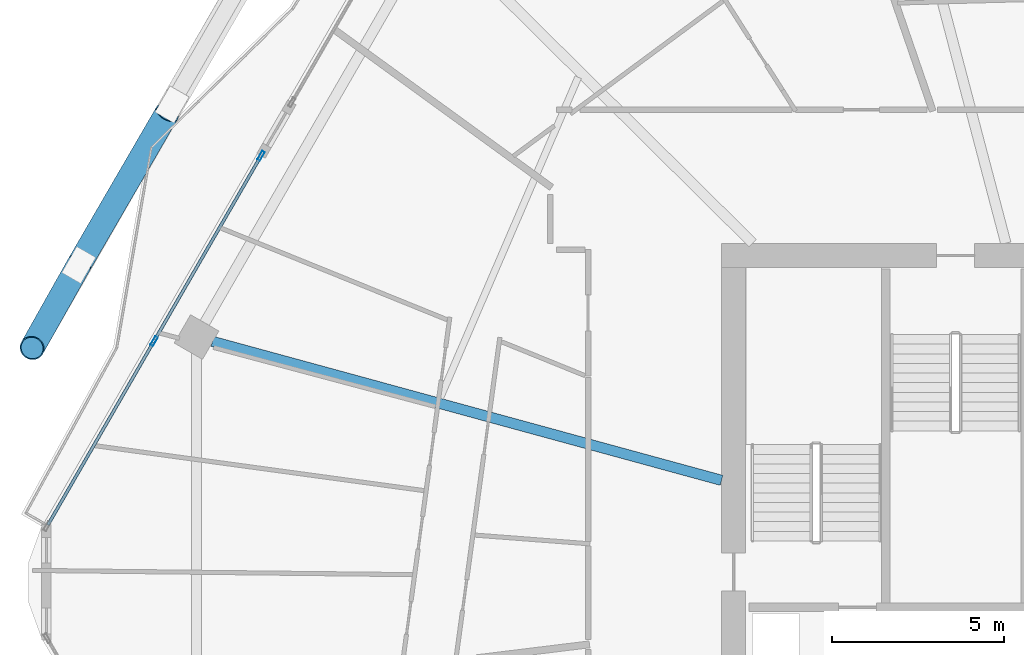
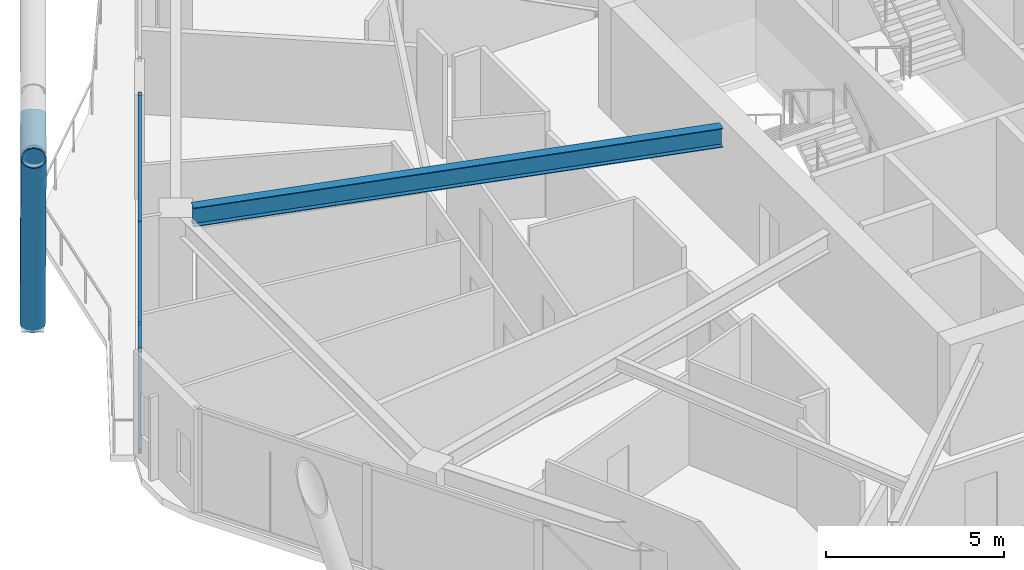
# One storey, part 10 of 28: 8 members, 1 beam, 1 element without a shape of its own.
"""IFC4 building model written with IfcOpenShell, lengths in metres."""

from ifc_helpers import new_model, si_unit, direction, frame, origin, origin_2d, place, context, subcontext, project, spatial, hollow_rectangle, hollow_circle, i_section, extrude, material, material_profile, profile_set, type_object, element, aggregate, save


model = new_model("IFC4")

# Units and contexts
model_context = context("Model", 3, precision=1e-05, world=origin(), true_north=direction((0.0, 1.0)))
body_context = subcontext(model_context, "Body", "Model", "MODEL_VIEW")
ifc_project = project(units=[si_unit("LENGTHUNIT", "METRE"), si_unit("AREAUNIT", "SQUARE_METRE"), si_unit("VOLUMEUNIT", "CUBIC_METRE"), si_unit("PLANEANGLEUNIT", "RADIAN"), si_unit("MASSUNIT", "GRAM", prefix="KILO")], contexts=[model_context])

# Site, building, storey
site_placement = place(None, origin())
site = spatial("IfcSite", under=ifc_project, at=site_placement, CompositionType="ELEMENT")
building_placement = place(site_placement, origin())
building = spatial("IfcBuilding", under=site, at=building_placement, Name="Zuhravey Tower", CompositionType="ELEMENT")
storey_placement = place(building_placement, frame((0.0, 0.0, 199.800048828125)))
storey = spatial("IfcBuildingStorey", under=building, at=storey_placement, Name="L50", CompositionType="ELEMENT", Elevation=199.800048828125)

# Curtain wall, members
ifc_material_1 = material(Name="Thermally broken anodised aluminium", Category="aluminium")
curtain_wall_type = type_object("IfcCurtainWallType", Name="Zone 1-2 Residential Curtain Wall CW3", PredefinedType="NOTDEFINED", material=ifc_material_1)
curtain_wall_placement = place(storey_placement, origin())
curtain_wall = element("IfcCurtainWall", 1, at=curtain_wall_placement, inside=storey, type_object=curtain_wall_type, Name="L50 CW3 CW-L50-F3-1", PredefinedType="NOTDEFINED")
ifc_material_2 = material(Name="Anodised aluminium", Category="aluminium")
ifc_material_profile_1 = material_profile(ifc_material_2, hollow_rectangle(XDim=0.090087890625, YDim=0.284912109375, WallThickness=0.0048828125, at=origin_2d()), Name="ALU-RHS-90x285x5")
ifc_profile_set_1 = profile_set([ifc_material_profile_1], Name="Anodised aluminium")
member_type_1 = type_object("IfcMemberType", Name="Curtain-Wall Mullion 90x180", PredefinedType="MULLION", material=ifc_profile_set_1)
member_1_placement = place(storey_placement, frame((8.6591796875, 39.010498046875, 0.0), z_axis=(0.0, 0.0, 1.0), x_axis=(-0.866023899446, 0.500002605581, 0.0)))
member_1 = element("IfcMember", 2, at=member_1_placement, type_object=member_type_1, Name="CW3 mullion 2", PredefinedType="MULLION", context=body_context, shape_type="SweptSolid", body=[
    extrude(hollow_rectangle(XDim=0.090087890625, YDim=0.284912109375, WallThickness=0.0048828125, at=origin_2d()), origin(), (0.0, 0.0, 1.0), 3.550048828125),
])
member_2_placement = place(storey_placement, frame((11.767822265625, 44.394775390625, 0.0), z_axis=(0.0, 0.0, 1.0), x_axis=(-0.866023899446, 0.500002605581, 0.0)))
member_2 = element("IfcMember", 3, at=member_2_placement, type_object=member_type_1, Name="CW3 mullion 3", PredefinedType="MULLION", context=body_context, shape_type="SweptSolid", body=[
    extrude(hollow_rectangle(XDim=0.090087890625, YDim=0.284912109375, WallThickness=0.0048828125, at=origin_2d()), origin(), (0.0, 0.0, 1.0), 3.550048828125),
])
ifc_material_profile_2 = material_profile(ifc_material_2, hollow_rectangle(XDim=0.090087890625, YDim=0.14990234375, WallThickness=0.0048828125, at=origin_2d()), Name="ALU-RHS-90x150x5")
ifc_profile_set_2 = profile_set([ifc_material_profile_2], Name="Anodised aluminium")
member_type_2 = type_object("IfcMemberType", Name="Curtain-Wall Transom 90x150", PredefinedType="USERDEFINED", material=ifc_profile_set_2)
member_3_placement = place(storey_placement, frame((5.5732421875, 33.66552734375, 0.044921875), z_axis=(0.499996092513, 0.866027659761, 0.0), x_axis=(-0.866027659761, 0.499996092513, 0.0)))
member_3 = element("IfcMember", 4, at=member_3_placement, type_object=member_type_2, Name="CW3 transom 1.1", ObjectType="TRANSOM", PredefinedType="USERDEFINED", context=body_context, shape_type="SweptSolid", body=[
    extrude(hollow_rectangle(XDim=0.090087890625, YDim=0.14990234375, WallThickness=0.0048828125, at=origin_2d()), origin(), (0.0, 0.0, 1.0), 6.126953125),
])
member_4_placement = place(storey_placement, frame((5.5732421875, 33.66552734375, 3.5048828125), z_axis=(0.499996092513, 0.866027659761, 0.0), x_axis=(-0.866027659761, 0.499996092513, 0.0)))
member_4 = element("IfcMember", 5, at=member_4_placement, type_object=member_type_2, Name="CW3 transom 1.2", ObjectType="TRANSOM", PredefinedType="USERDEFINED", context=body_context, shape_type="SweptSolid", body=[
    extrude(hollow_rectangle(XDim=0.090087890625, YDim=0.14990234375, WallThickness=0.0048828125, at=origin_2d()), origin(), (0.0, 0.0, 1.0), 6.126953125),
])
member_5_placement = place(storey_placement, frame((8.681640625, 39.049560546875, 0.044921875), z_axis=(0.500025976783, 0.866010405562, 0.0), x_axis=(-0.866010405562, 0.500025976783, 0.0)))
member_5 = element("IfcMember", 6, at=member_5_placement, type_object=member_type_2, Name="CW3 transom 2.1", ObjectType="TRANSOM", PredefinedType="USERDEFINED", context=body_context, shape_type="SweptSolid", body=[
    extrude(hollow_rectangle(XDim=0.090087890625, YDim=0.14990234375, WallThickness=0.0048828125, at=origin_2d()), origin(), (0.0, 0.0, 1.0), 6.127197265625),
])
member_6_placement = place(storey_placement, frame((8.681640625, 39.049560546875, 3.5048828125), z_axis=(0.500025976783, 0.866010405562, 0.0), x_axis=(-0.866010405562, 0.500025976783, 0.0)))
member_6 = element("IfcMember", 7, at=member_6_placement, type_object=member_type_2, Name="CW3 transom 2.2", ObjectType="TRANSOM", PredefinedType="USERDEFINED", context=body_context, shape_type="SweptSolid", body=[
    extrude(hollow_rectangle(XDim=0.090087890625, YDim=0.14990234375, WallThickness=0.0048828125, at=origin_2d()), origin(), (0.0, 0.0, 1.0), 6.127197265625),
])
aggregate(curtain_wall, [member_1, member_2, member_3, member_4, member_5, member_6])

# Members
ifc_material_3 = material(Name="Steel SM460", Category="steel")
ifc_material_profile_3 = material_profile(ifc_material_3, hollow_circle(Radius=0.355712890625, WallThickness=0.031982421875, at=origin_2d()), Name="CHS-711.2x32")
ifc_profile_set_3 = profile_set([ifc_material_profile_3], Name="Steel SM460")
member_type_3 = type_object("IfcMemberType", Name="Exoskeleton Zone 2 Diagrid CHS711x32", PredefinedType="BRACE", material=ifc_profile_set_3)
member_7_placement = place(storey_placement, frame((6.466552734375, 41.212646484375, -0.444091796875), z_axis=(-0.16821244009, -0.298778056347, 0.939380779048), x_axis=(0.871388810392, -0.490593050424, 0.0)))
element("IfcMember", 8, at=member_7_placement, inside=storey, type_object=member_type_3, Name="L50 Face 3 Diagrid Brace 4", PredefinedType="BRACE", context=body_context, shape_type="SweptSolid", body=[
    extrude(hollow_circle(Radius=0.355712890625, WallThickness=0.031982421875, at=origin_2d()), origin(), (0.0, 0.0, 1.0), 8.0478515625),
])
member_8_placement = place(storey_placement, frame((6.48974609375, 41.252685546875, -0.436767578125), z_axis=(0.410689024779, 0.706843105016, 0.575940404744), x_axis=(-0.864648681518, 0.502377007386, 0.0)))
element("IfcMember", 9, at=member_8_placement, inside=storey, type_object=member_type_3, Name="L50 Face 3 Split Diagrid Brace 3A", PredefinedType="BRACE", context=body_context, shape_type="SweptSolid", body=[
    extrude(hollow_circle(Radius=0.355712890625, WallThickness=0.031982421875, at=origin_2d()), origin(), (0.0, 0.0, 1.0), 6.205078125),
])

# Beam
ifc_material_4 = material(Name="Steel SM355", Category="steel")
ifc_material_profile_4 = material_profile(ifc_material_4, i_section(OverallWidth=0.300048828125, OverallDepth=0.64990234375, WebThickness=0.012939453125, FlangeThickness=0.02197265625, at=origin_2d()), Name="H-650x300x13x22")
ifc_profile_set_4 = profile_set([ifc_material_profile_4], Name="Steel SM355")
beam_type = type_object("IfcBeamType", Name="Radial Primary Girder H650x300", PredefinedType="BEAM", material=ifc_profile_set_4)
beam_placement = place(storey_placement, frame((25.14697265625, 34.96240234375, 3.224853515625), z_axis=(-0.964701703464, 0.263345065139, 0.0), x_axis=(-0.263345065139, -0.964701703464, 0.0)))
element("IfcBeam", 10, at=beam_placement, inside=storey, type_object=beam_type, Name="L50 RG2 BM-L50-RAD-06", PredefinedType="BEAM", context=body_context, shape_type="SweptSolid", body=[
    extrude(i_section(OverallWidth=0.300048828125, OverallDepth=0.64990234375, WebThickness=0.012939453125, FlangeThickness=0.02197265625, at=origin_2d()), origin(), (0.0, 0.0, 1.0), 15.334716796875),
])

save(model, "model.ifc")
